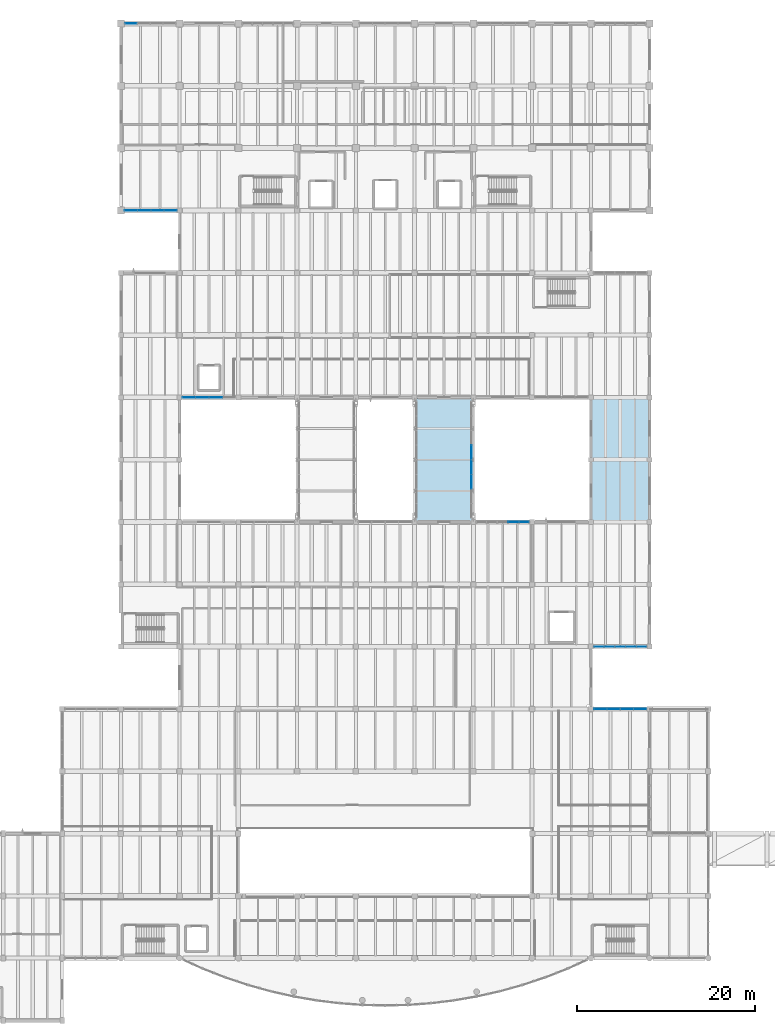
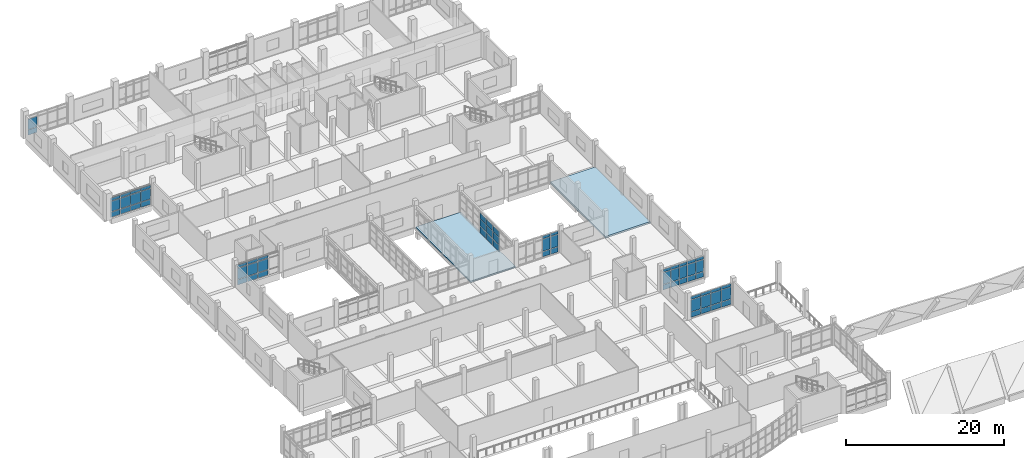
# One storey, part 42 of 67: 65 plates, 2 slabs, 7 elements without a shape of their own.
"""IFC4 building model written with IfcOpenShell, lengths in metres."""

import ifcopenshell
import ifcopenshell.guid

model = None  # the IFC model being written
_history = None  # IfcOwnerHistory: only IFC2X3 demands one
_inside = {}  # id of a spatial element -> (the spatial element, [elements in it])
_under = {}  # id of a project, library or spatial element -> (it, [spatial elements below it])
_declared = {}  # id of a project -> (the project, [libraries it declares])
_typed = {}  # id of a type object -> (the type object, [elements of that type])
_made_of = {}  # id of a material, layer set ... -> (it, [elements and type objects made of it])


def new_model(schema):
    """Start an empty IFC model of exactly this schema.

    Asked for "IFC4X3", IfcOpenShell would pick the latest addendum, in which some entities
    have other attributes; the version numbers below select the first issue.
    IFC2X3 requires an IfcOwnerHistory on every rooted entity: one is made here for all.
    """
    global model, _history
    if schema == "IFC4X3":
        model = ifcopenshell.file(schema_version=(4, 3, 0, 0))
    else:
        model = ifcopenshell.file(schema=schema)
    _inside.clear()
    _under.clear()
    _declared.clear()
    _typed.clear()
    _made_of.clear()
    _history = None
    if model.schema == "IFC2X3":
        org = make("IfcOrganization", Name="unknown")
        user = make(
            "IfcPersonAndOrganization",
            ThePerson=make("IfcPerson", FamilyName="unknown"),
            TheOrganization=org,
        )
        app = make(
            "IfcApplication",
            ApplicationDeveloper=org,
            Version="unknown",
            ApplicationFullName="unknown",
            ApplicationIdentifier="unknown",
        )
        _history = make(
            "IfcOwnerHistory",
            OwningUser=user,
            OwningApplication=app,
            ChangeAction="ADDED",
            CreationDate=0,
        )
    return model


def make(cls, **values):
    """One entity of the class cls with the attributes given. An attribute that is None is left unset."""
    return model.create_entity(
        cls, **{name: value for name, value in values.items() if value is not None}
    )


def rooted(cls, **values):
    """An entity with a GlobalId (a new one), such as an element, a storey or a relation."""
    return make(cls, GlobalId=ifcopenshell.guid.new(), OwnerHistory=_history, **values)


def si_unit(unit_type, name, prefix=None):
    """IfcSIUnit, for example si_unit("LENGTHUNIT", "METRE", prefix="MILLI")."""
    return make("IfcSIUnit", UnitType=unit_type, Prefix=prefix, Name=name)


def assignment(units):
    """IfcUnitAssignment: the units of a project."""
    return None if units is None else make("IfcUnitAssignment", Units=units)


def point(xyz):
    """IfcCartesianPoint."""
    return None if xyz is None else make("IfcCartesianPoint", Coordinates=xyz)


def direction(xyz):
    """IfcDirection."""
    return None if xyz is None else make("IfcDirection", DirectionRatios=xyz)


def frame(location, z_axis=None, x_axis=None):
    """IfcAxis2Placement3D, a coordinate frame: its origin and axes. An axis left out is left unset."""
    return make(
        "IfcAxis2Placement3D",
        Location=point(location),
        Axis=direction(z_axis),
        RefDirection=direction(x_axis),
    )


def frame_2d(location, x_axis=None):
    """IfcAxis2Placement2D, a coordinate frame in the plane: its origin and x axis."""
    return make(
        "IfcAxis2Placement2D", Location=point(location), RefDirection=direction(x_axis)
    )


def origin():
    """The frame at (0, 0, 0) with its axes left unset."""
    return frame((0.0, 0.0, 0.0))


def origin_2d():
    """The frame at (0, 0) in the plane with its x axis left unset."""
    return frame_2d((0.0, 0.0))


def place(relative_to, where):
    """IfcLocalPlacement: puts the frame where relative to a parent placement (None: the world)."""
    return make(
        "IfcLocalPlacement", PlacementRelTo=relative_to, RelativePlacement=where
    )


def context(
    kind, dimensions, precision=None, world=None, true_north=None, identifier=None
):
    """IfcGeometricRepresentationContext, for example the 3D "Model" context."""
    return make(
        "IfcGeometricRepresentationContext",
        ContextIdentifier=identifier,
        ContextType=kind,
        CoordinateSpaceDimension=dimensions,
        Precision=precision,
        WorldCoordinateSystem=world,
        TrueNorth=true_north,
    )


def subcontext(parent, identifier, kind, view, scale=None):
    """IfcGeometricRepresentationSubContext, for example "Body" below "Model"."""
    return make(
        "IfcGeometricRepresentationSubContext",
        ContextIdentifier=identifier,
        ContextType=kind,
        ParentContext=parent,
        TargetScale=scale,
        TargetView=view,
    )


def project(units=None, contexts=None):
    """IfcProject with its units and contexts."""
    return rooted(
        "IfcProject",
        Name="project",
        RepresentationContexts=contexts,
        UnitsInContext=assignment(units),
    )


def spatial(cls, under=None, at=None, **own):
    """A site, building, storey or space (cls), placed at a placement, below another one or the project."""
    s = rooted(cls, ObjectPlacement=at, **own)
    if under is not None:
        _under.setdefault(under.id(), (under, []))[1].append(s)
    return s


def polyline(points):
    """IfcPolyline through the points."""
    return make("IfcPolyline", Points=[point(p) for p in points])


def profile(cls, at=None, kind="AREA", **sizes):
    """A parametric profile (cls). Its sizes go by their IFC names, for example OverallWidth=200.0."""
    return make(cls, ProfileType=kind, Position=at, **sizes)


def rectangle(**sizes):
    """IfcRectangleProfileDef."""
    return profile("IfcRectangleProfileDef", **sizes)


def outline(outer, holes=None, kind="AREA"):
    """IfcArbitraryClosedProfileDef: a profile drawn as a closed curve; with holes, ...WithVoids."""
    if holes is None:
        return make("IfcArbitraryClosedProfileDef", ProfileType=kind, OuterCurve=outer)
    return make(
        "IfcArbitraryProfileDefWithVoids",
        ProfileType=kind,
        OuterCurve=outer,
        InnerCurves=holes,
    )


def extrude(swept, where, along, depth):
    """IfcExtrudedAreaSolid: the profile swept, set in the frame where, extruded along a direction by depth."""
    return make(
        "IfcExtrudedAreaSolid",
        SweptArea=swept,
        Position=where,
        ExtrudedDirection=direction(along),
        Depth=depth,
    )


def shape(context_of_items, identifier, shape_type, items):
    """IfcShapeRepresentation: the items that make up one representation, for example the "Body"."""
    return make(
        "IfcShapeRepresentation",
        ContextOfItems=context_of_items,
        RepresentationIdentifier=identifier,
        RepresentationType=shape_type,
        Items=items,
    )


def material(Name=None, Category=None):
    """IfcMaterial."""
    return make("IfcMaterial", Name=Name, Category=Category)


def layer(
    of_material, thickness, ventilated=None, Name=None, Category=None, Priority=None
):
    """IfcMaterialLayer: one layer of a wall or slab, of a material (None: an air gap)."""
    return make(
        "IfcMaterialLayer",
        Material=of_material,
        LayerThickness=thickness,
        IsVentilated=ventilated,
        Name=Name,
        Category=Category,
        Priority=Priority,
    )


def layer_set(layers, Name=None):
    """IfcMaterialLayerSet."""
    return make("IfcMaterialLayerSet", MaterialLayers=layers, LayerSetName=Name)


def made_of(thing, what):
    """Note that an element or type object is made of a material, layer set ...; save() writes the relation."""
    if what is not None:
        _made_of.setdefault(what.id(), (what, []))[1].append(thing)
    return thing


def type_object(cls, material=None, **own):
    """A type object (cls), such as IfcWallType, which elements share."""
    return made_of(rooted(cls, **own), material)


def element(
    cls,
    number,
    at=None,
    inside=None,
    cuts=None,
    type_object=None,
    material=None,
    context=None,
    identifier="Body",
    shape_type=None,
    held_by="IfcProductDefinitionShape",
    body=None,
    shapes=None,
    **own,
):
    """One element of the class cls, such as IfcWall. Its Tag is "e" and its number.

    at: its placement. inside: the storey or other place that contains it. cuts: it is an
    opening in that element (IfcRelVoidsElement). A single representation is given by context,
    identifier, shape_type and body (its items); several are given by shapes. held_by: the class
    of the entity that holds the representations. save() writes the other relations.
    """
    e = rooted(cls, Tag="e%d" % number, ObjectPlacement=at, **own)
    if body is not None:
        shapes = [shape(context, identifier, shape_type, body)]
    if shapes is not None:
        e.Representation = make(held_by, Representations=shapes)
    if inside is not None:
        _inside.setdefault(inside.id(), (inside, []))[1].append(e)
    if cuts is not None:
        rooted(
            "IfcRelVoidsElement", RelatingBuildingElement=cuts, RelatedOpeningElement=e
        )
    if type_object is not None:
        _typed.setdefault(type_object.id(), (type_object, []))[1].append(e)
    return made_of(e, material)


def aggregate(whole, parts):
    """IfcRelAggregates: a whole, such as a stair, and the parts it consists of."""
    return rooted("IfcRelAggregates", RelatingObject=whole, RelatedObjects=parts)


def save(model, path):
    """Write the relations noted so far, then the file.

    IfcRelAggregates (storeys below a building ...), IfcRelContainedInSpatialStructure (elements
    in a storey), IfcRelDefinesByType, IfcRelAssociatesMaterial and IfcRelDeclares: one each for
    every whole, place, type object, material and project.
    """
    for whole, parts in _under.values():
        aggregate(whole, parts)
    for where, things in _inside.values():
        rooted(
            "IfcRelContainedInSpatialStructure",
            RelatedElements=things,
            RelatingStructure=where,
        )
    for kind, things in _typed.values():
        rooted("IfcRelDefinesByType", RelatedObjects=things, RelatingType=kind)
    for what, things in _made_of.values():
        rooted("IfcRelAssociatesMaterial", RelatedObjects=things, RelatingMaterial=what)
    for by, libraries in _declared.values():
        rooted("IfcRelDeclares", RelatingContext=by, RelatedDefinitions=libraries)
    model.write(path)


model = new_model("IFC4")

# Units and contexts
model_context = context("Model", 3, precision=1e-05, world=origin(), true_north=direction((0.0, 1.0)))
body_context = subcontext(model_context, "Body", "Model", "MODEL_VIEW")
ifc_project = project(units=[si_unit("LENGTHUNIT", "METRE"), si_unit("AREAUNIT", "SQUARE_METRE"), si_unit("VOLUMEUNIT", "CUBIC_METRE"), si_unit("PLANEANGLEUNIT", "RADIAN"), si_unit("MASSUNIT", "GRAM", prefix="KILO")], contexts=[model_context])

# Site, building, storey
site_placement = place(None, origin())
site = spatial("IfcSite", under=ifc_project, at=site_placement, CompositionType="ELEMENT")
building_placement = place(site_placement, origin())
building = spatial("IfcBuilding", under=site, at=building_placement, Name="Ciguamira Faculty of Natural Sciences", CompositionType="ELEMENT")
storey_placement = place(building_placement, frame((0.0, 0.0, 8.39990234375)))
storey = spatial("IfcBuildingStorey", under=building, at=storey_placement, Name="L02", CompositionType="ELEMENT", Elevation=8.39990234375)

# Curtain wall, plates
ifc_material_1 = material(Name="Anodized aluminium curtain wall", Category="aluminium")
curtain_wall_type_1 = type_object("IfcCurtainWallType", Name="CurtainWall_CW-03", PredefinedType="USERDEFINED", material=ifc_material_1)
curtain_wall_1_placement = place(storey_placement, origin())
curtain_wall_1 = element("IfcCurtainWall", 1, at=curtain_wall_1_placement, inside=storey, type_object=curtain_wall_type_1, Name="L02 unitised curtain wall 0063", ObjectType="UNITISED CURTAIN WALL", PredefinedType="USERDEFINED")
ifc_material_2 = material(Name="Low-E laminated solar glass", Category="glass")
ifc_layer_1 = layer(ifc_material_2, 0.028076171875, Name="Low-E laminated solar glass")
ifc_layer_set_1 = layer_set([ifc_layer_1], Name="Low-E laminated solar glass")
plate_type_1 = type_object("IfcPlateType", Name="CWPanel_CWP-01", PredefinedType="CURTAIN_PANEL", material=ifc_layer_set_1)
plate_1_placement = place(storey_placement, frame((111.0, 45.0, 0.080078125), z_axis=(0.0, 0.0, 1.0), x_axis=(1.0, 0.0, 0.0)))
plate_1 = element("IfcPlate", 2, at=plate_1_placement, type_object=plate_type_1, Name="CW-03 panel 1.1", PredefinedType="CURTAIN_PANEL", context=body_context, shape_type="SweptSolid", body=[
    extrude(rectangle(XDim=1.090087890625, YDim=0.028076171875, at=origin_2d()), origin(), (0.0, 0.0, 1.0), 0.780029296875),
])
plate_2_placement = place(storey_placement, frame((111.0, 45.0, 0.940185546875), z_axis=(0.0, 0.0, 1.0), x_axis=(1.0, 0.0, 0.0)))
plate_2 = element("IfcPlate", 3, at=plate_2_placement, type_object=plate_type_1, Name="CW-03 panel 1.2", PredefinedType="CURTAIN_PANEL", context=body_context, shape_type="SweptSolid", body=[
    extrude(rectangle(XDim=1.090087890625, YDim=0.028076171875, at=origin_2d()), origin(), (0.0, 0.0, 1.0), 1.81494140625),
])
plate_3_placement = place(storey_placement, frame((111.0, 45.0, 2.8349609375), z_axis=(0.0, 0.0, 1.0), x_axis=(1.0, 0.0, 0.0)))
plate_3 = element("IfcPlate", 4, at=plate_3_placement, type_object=plate_type_1, Name="CW-03 panel 1.3", PredefinedType="CURTAIN_PANEL", context=body_context, shape_type="SweptSolid", body=[
    extrude(rectangle(XDim=1.090087890625, YDim=0.028076171875, at=origin_2d()), origin(), (0.0, 0.0, 1.0), 0.429931640625),
])
plate_4_placement = place(storey_placement, frame((112.18994140625, 45.0, 0.080078125), z_axis=(0.0, 0.0, 1.0), x_axis=(1.0, 0.0, 0.0)))
plate_4 = element("IfcPlate", 5, at=plate_4_placement, type_object=plate_type_1, Name="CW-03 panel 2.1", PredefinedType="CURTAIN_PANEL", context=body_context, shape_type="SweptSolid", body=[
    extrude(rectangle(XDim=1.1298828125, YDim=0.028076171875, at=origin_2d()), origin(), (0.0, 0.0, 1.0), 0.780029296875),
])
plate_5_placement = place(storey_placement, frame((112.18994140625, 45.0, 0.940185546875), z_axis=(0.0, 0.0, 1.0), x_axis=(1.0, 0.0, 0.0)))
plate_5 = element("IfcPlate", 6, at=plate_5_placement, type_object=plate_type_1, Name="CW-03 panel 2.2", PredefinedType="CURTAIN_PANEL", context=body_context, shape_type="SweptSolid", body=[
    extrude(rectangle(XDim=1.1298828125, YDim=0.028076171875, at=origin_2d()), origin(), (0.0, 0.0, 1.0), 1.81494140625),
])
plate_6_placement = place(storey_placement, frame((112.18994140625, 45.0, 2.8349609375), z_axis=(0.0, 0.0, 1.0), x_axis=(1.0, 0.0, 0.0)))
plate_6 = element("IfcPlate", 7, at=plate_6_placement, type_object=plate_type_1, Name="CW-03 panel 2.3", PredefinedType="CURTAIN_PANEL", context=body_context, shape_type="SweptSolid", body=[
    extrude(rectangle(XDim=1.1298828125, YDim=0.028076171875, at=origin_2d()), origin(), (0.0, 0.0, 1.0), 0.429931640625),
])
plate_7_placement = place(storey_placement, frame((113.39990234375, 45.0, 0.080078125), z_axis=(0.0, 0.0, 1.0), x_axis=(1.0, 0.0, 0.0)))
plate_7 = element("IfcPlate", 8, at=plate_7_placement, type_object=plate_type_1, Name="CW-03 panel 3.1", PredefinedType="CURTAIN_PANEL", context=body_context, shape_type="SweptSolid", body=[
    extrude(rectangle(XDim=1.1298828125, YDim=0.028076171875, at=origin_2d()), origin(), (0.0, 0.0, 1.0), 0.780029296875),
])
plate_8_placement = place(storey_placement, frame((113.39990234375, 45.0, 0.940185546875), z_axis=(0.0, 0.0, 1.0), x_axis=(1.0, 0.0, 0.0)))
plate_8 = element("IfcPlate", 9, at=plate_8_placement, type_object=plate_type_1, Name="CW-03 panel 3.2", PredefinedType="CURTAIN_PANEL", context=body_context, shape_type="SweptSolid", body=[
    extrude(rectangle(XDim=1.1298828125, YDim=0.028076171875, at=origin_2d()), origin(), (0.0, 0.0, 1.0), 1.81494140625),
])
plate_9_placement = place(storey_placement, frame((113.39990234375, 45.0, 2.8349609375), z_axis=(0.0, 0.0, 1.0), x_axis=(1.0, 0.0, 0.0)))
plate_9 = element("IfcPlate", 10, at=plate_9_placement, type_object=plate_type_1, Name="CW-03 panel 3.3", PredefinedType="CURTAIN_PANEL", context=body_context, shape_type="SweptSolid", body=[
    extrude(rectangle(XDim=1.1298828125, YDim=0.028076171875, at=origin_2d()), origin(), (0.0, 0.0, 1.0), 0.429931640625),
])
plate_10_placement = place(storey_placement, frame((114.610107421875, 45.0, 0.080078125), z_axis=(0.0, 0.0, 1.0), x_axis=(1.0, 0.0, 0.0)))
plate_10 = element("IfcPlate", 11, at=plate_10_placement, type_object=plate_type_1, Name="CW-03 panel 4.1", PredefinedType="CURTAIN_PANEL", context=body_context, shape_type="SweptSolid", body=[
    extrude(rectangle(XDim=1.1298828125, YDim=0.028076171875, at=origin_2d()), origin(), (0.0, 0.0, 1.0), 0.780029296875),
])
plate_11_placement = place(storey_placement, frame((114.610107421875, 45.0, 0.940185546875), z_axis=(0.0, 0.0, 1.0), x_axis=(1.0, 0.0, 0.0)))
plate_11 = element("IfcPlate", 12, at=plate_11_placement, type_object=plate_type_1, Name="CW-03 panel 4.2", PredefinedType="CURTAIN_PANEL", context=body_context, shape_type="SweptSolid", body=[
    extrude(rectangle(XDim=1.1298828125, YDim=0.028076171875, at=origin_2d()), origin(), (0.0, 0.0, 1.0), 1.81494140625),
])
plate_12_placement = place(storey_placement, frame((114.610107421875, 45.0, 2.8349609375), z_axis=(0.0, 0.0, 1.0), x_axis=(1.0, 0.0, 0.0)))
plate_12 = element("IfcPlate", 13, at=plate_12_placement, type_object=plate_type_1, Name="CW-03 panel 4.3", PredefinedType="CURTAIN_PANEL", context=body_context, shape_type="SweptSolid", body=[
    extrude(rectangle(XDim=1.1298828125, YDim=0.028076171875, at=origin_2d()), origin(), (0.0, 0.0, 1.0), 0.429931640625),
])
plate_13_placement = place(storey_placement, frame((115.800048828125, 45.0, 0.080078125), z_axis=(0.0, 0.0, 1.0), x_axis=(1.0, 0.0, 0.0)))
plate_13 = element("IfcPlate", 14, at=plate_13_placement, type_object=plate_type_1, Name="CW-03 panel 5.1", PredefinedType="CURTAIN_PANEL", context=body_context, shape_type="SweptSolid", body=[
    extrude(rectangle(XDim=1.090087890625, YDim=0.028076171875, at=origin_2d()), origin(), (0.0, 0.0, 1.0), 0.780029296875),
])
plate_14_placement = place(storey_placement, frame((115.800048828125, 45.0, 0.940185546875), z_axis=(0.0, 0.0, 1.0), x_axis=(1.0, 0.0, 0.0)))
plate_14 = element("IfcPlate", 15, at=plate_14_placement, type_object=plate_type_1, Name="CW-03 panel 5.2", PredefinedType="CURTAIN_PANEL", context=body_context, shape_type="SweptSolid", body=[
    extrude(rectangle(XDim=1.090087890625, YDim=0.028076171875, at=origin_2d()), origin(), (0.0, 0.0, 1.0), 1.81494140625),
])
plate_15_placement = place(storey_placement, frame((115.800048828125, 45.0, 2.8349609375), z_axis=(0.0, 0.0, 1.0), x_axis=(1.0, 0.0, 0.0)))
plate_15 = element("IfcPlate", 16, at=plate_15_placement, type_object=plate_type_1, Name="CW-03 panel 5.3", PredefinedType="CURTAIN_PANEL", context=body_context, shape_type="SweptSolid", body=[
    extrude(rectangle(XDim=1.090087890625, YDim=0.028076171875, at=origin_2d()), origin(), (0.0, 0.0, 1.0), 0.429931640625),
])
aggregate(curtain_wall_1, [plate_1, plate_2, plate_3, plate_4, plate_5, plate_6, plate_7, plate_8, plate_9, plate_10, plate_11, plate_12, plate_13, plate_14, plate_15])

curtain_wall_type_2 = type_object("IfcCurtainWallType", Name="CurtainWall_CW-07", PredefinedType="USERDEFINED", material=ifc_material_1)
curtain_wall_2_placement = place(storey_placement, origin())
curtain_wall_2 = element("IfcCurtainWall", 17, at=curtain_wall_2_placement, inside=storey, type_object=curtain_wall_type_2, Name="L02 unitised curtain wall 0067", ObjectType="UNITISED CURTAIN WALL", PredefinedType="USERDEFINED")
plate_16_placement = place(storey_placement, frame((64.9462890625, 73.0, 0.06005859375), z_axis=(0.0, 0.0, 1.0), x_axis=(1.0, 0.0, 0.0)))
plate_16 = element("IfcPlate", 18, at=plate_16_placement, type_object=plate_type_1, Name="CW-07 panel 1.1", PredefinedType="CURTAIN_PANEL", context=body_context, shape_type="SweptSolid", body=[
    extrude(rectangle(XDim=1.422607421875, YDim=0.028076171875, at=origin_2d()), origin(), (0.0, 0.0, 1.0), 0.81005859375),
])
plate_17_placement = place(storey_placement, frame((64.9462890625, 73.0, 0.929931640625), z_axis=(0.0, 0.0, 1.0), x_axis=(1.0, 0.0, 0.0)))
plate_17 = element("IfcPlate", 19, at=plate_17_placement, type_object=plate_type_1, Name="CW-07 panel 1.2", PredefinedType="CURTAIN_PANEL", context=body_context, shape_type="SweptSolid", body=[
    extrude(rectangle(XDim=1.422607421875, YDim=0.028076171875, at=origin_2d()), origin(), (0.0, 0.0, 1.0), 1.72509765625),
])
plate_18_placement = place(storey_placement, frame((64.9462890625, 73.0, 2.715087890625), z_axis=(0.0, 0.0, 1.0), x_axis=(1.0, 0.0, 0.0)))
plate_18 = element("IfcPlate", 20, at=plate_18_placement, type_object=plate_type_1, Name="CW-07 panel 1.3", PredefinedType="CURTAIN_PANEL", context=body_context, shape_type="SweptSolid", body=[
    extrude(rectangle(XDim=1.422607421875, YDim=0.028076171875, at=origin_2d()), origin(), (0.0, 0.0, 1.0), 0.4599609375),
])
plate_19_placement = place(storey_placement, frame((66.44384765625, 73.0, 0.06005859375), z_axis=(0.0, 0.0, 1.0), x_axis=(1.0, 0.0, 0.0)))
plate_19 = element("IfcPlate", 21, at=plate_19_placement, type_object=plate_type_1, Name="CW-07 panel 2.1", PredefinedType="CURTAIN_PANEL", context=body_context, shape_type="SweptSolid", body=[
    extrude(rectangle(XDim=1.452392578125, YDim=0.028076171875, at=origin_2d()), origin(), (0.0, 0.0, 1.0), 0.81005859375),
])
plate_20_placement = place(storey_placement, frame((66.44384765625, 73.0, 0.929931640625), z_axis=(0.0, 0.0, 1.0), x_axis=(1.0, 0.0, 0.0)))
plate_20 = element("IfcPlate", 22, at=plate_20_placement, type_object=plate_type_1, Name="CW-07 panel 2.2", PredefinedType="CURTAIN_PANEL", context=body_context, shape_type="SweptSolid", body=[
    extrude(rectangle(XDim=1.452392578125, YDim=0.028076171875, at=origin_2d()), origin(), (0.0, 0.0, 1.0), 1.72509765625),
])
plate_21_placement = place(storey_placement, frame((66.44384765625, 73.0, 2.715087890625), z_axis=(0.0, 0.0, 1.0), x_axis=(1.0, 0.0, 0.0)))
plate_21 = element("IfcPlate", 23, at=plate_21_placement, type_object=plate_type_1, Name="CW-07 panel 2.3", PredefinedType="CURTAIN_PANEL", context=body_context, shape_type="SweptSolid", body=[
    extrude(rectangle(XDim=1.452392578125, YDim=0.028076171875, at=origin_2d()), origin(), (0.0, 0.0, 1.0), 0.4599609375),
])
plate_22_placement = place(storey_placement, frame((67.956298828125, 73.0, 0.06005859375), z_axis=(0.0, 0.0, 1.0), x_axis=(1.0, 0.0, 0.0)))
plate_22 = element("IfcPlate", 24, at=plate_22_placement, type_object=plate_type_1, Name="CW-07 panel 3.1", PredefinedType="CURTAIN_PANEL", context=body_context, shape_type="SweptSolid", body=[
    extrude(rectangle(XDim=1.452392578125, YDim=0.028076171875, at=origin_2d()), origin(), (0.0, 0.0, 1.0), 0.81005859375),
])
plate_23_placement = place(storey_placement, frame((67.956298828125, 73.0, 0.929931640625), z_axis=(0.0, 0.0, 1.0), x_axis=(1.0, 0.0, 0.0)))
plate_23 = element("IfcPlate", 25, at=plate_23_placement, type_object=plate_type_1, Name="CW-07 panel 3.2", PredefinedType="CURTAIN_PANEL", context=body_context, shape_type="SweptSolid", body=[
    extrude(rectangle(XDim=1.452392578125, YDim=0.028076171875, at=origin_2d()), origin(), (0.0, 0.0, 1.0), 1.72509765625),
])
plate_24_placement = place(storey_placement, frame((67.956298828125, 73.0, 2.715087890625), z_axis=(0.0, 0.0, 1.0), x_axis=(1.0, 0.0, 0.0)))
plate_24 = element("IfcPlate", 26, at=plate_24_placement, type_object=plate_type_1, Name="CW-07 panel 3.3", PredefinedType="CURTAIN_PANEL", context=body_context, shape_type="SweptSolid", body=[
    extrude(rectangle(XDim=1.452392578125, YDim=0.028076171875, at=origin_2d()), origin(), (0.0, 0.0, 1.0), 0.4599609375),
])
aggregate(curtain_wall_2, [plate_16, plate_17, plate_18, plate_19, plate_20, plate_21, plate_22, plate_23, plate_24])

curtain_wall_type_3 = type_object("IfcCurtainWallType", Name="CurtainWall_CW-11", PredefinedType="USERDEFINED", material=ifc_material_1)
curtain_wall_3_placement = place(storey_placement, origin())
curtain_wall_3 = element("IfcCurtainWall", 27, at=curtain_wall_3_placement, inside=storey, type_object=curtain_wall_type_3, Name="L02 unitised curtain wall 0071", ObjectType="UNITISED CURTAIN WALL", PredefinedType="USERDEFINED")
plate_25_placement = place(storey_placement, frame((58.4423828125, 115.0, 0.070068359375), z_axis=(0.0, 0.0, 1.0), x_axis=(1.0, 0.0, 0.0)))
plate_25 = element("IfcPlate", 28, at=plate_25_placement, type_object=plate_type_1, Name="CW-11 panel 1.1", PredefinedType="CURTAIN_PANEL", context=body_context, shape_type="SweptSolid", body=[
    extrude(rectangle(XDim=1.344970703125, YDim=0.028076171875, at=origin_2d()), origin(), (0.0, 0.0, 1.0), 0.794921875),
])
plate_26_placement = place(storey_placement, frame((58.4423828125, 115.0, 0.93505859375), z_axis=(0.0, 0.0, 1.0), x_axis=(1.0, 0.0, 0.0)))
plate_26 = element("IfcPlate", 29, at=plate_26_placement, type_object=plate_type_1, Name="CW-11 panel 1.2", PredefinedType="CURTAIN_PANEL", context=body_context, shape_type="SweptSolid", body=[
    extrude(rectangle(XDim=1.344970703125, YDim=0.028076171875, at=origin_2d()), origin(), (0.0, 0.0, 1.0), 1.614990234375),
])
aggregate(curtain_wall_3, [plate_25, plate_26])

curtain_wall_type_4 = type_object("IfcCurtainWallType", Name="CurtainWall_CW-09", PredefinedType="USERDEFINED", material=ifc_material_1)
curtain_wall_4_placement = place(storey_placement, origin())
curtain_wall_4 = element("IfcCurtainWall", 30, at=curtain_wall_4_placement, inside=storey, type_object=curtain_wall_type_4, Name="Link bridge BR-2 glazed curtain wall E", ObjectType="UNITISED CURTAIN WALL", PredefinedType="USERDEFINED")
plate_27_placement = place(storey_placement, frame((96.679931640625, 63.543701171875, 0.06005859375), z_axis=(0.0, 0.0, 1.0), x_axis=(0.0, 1.0, 0.0)))
plate_27 = element("IfcPlate", 31, at=plate_27_placement, type_object=plate_type_1, Name="CW-09 panel 3.1", PredefinedType="CURTAIN_PANEL", context=body_context, shape_type="SweptSolid", body=[
    extrude(rectangle(XDim=1.577392578125, YDim=0.028076171875, at=origin_2d()), origin(), (0.0, 0.0, 1.0), 1.010009765625),
])
plate_28_placement = place(storey_placement, frame((96.679931640625, 63.543701171875, 1.13037109375), z_axis=(0.0, 0.0, 1.0), x_axis=(0.0, 1.0, 0.0)))
plate_28 = element("IfcPlate", 32, at=plate_28_placement, type_object=plate_type_1, Name="CW-09 panel 3.2", PredefinedType="CURTAIN_PANEL", context=body_context, shape_type="SweptSolid", body=[
    extrude(rectangle(XDim=1.577392578125, YDim=0.028076171875, at=origin_2d()), origin(), (0.0, 0.0, 1.0), 1.139892578125),
])
plate_29_placement = place(storey_placement, frame((96.679931640625, 63.543701171875, 2.330078125), z_axis=(0.0, 0.0, 1.0), x_axis=(0.0, 1.0, 0.0)))
plate_29 = element("IfcPlate", 33, at=plate_29_placement, type_object=plate_type_1, Name="CW-09 panel 3.3", PredefinedType="CURTAIN_PANEL", context=body_context, shape_type="SweptSolid", body=[
    extrude(rectangle(XDim=1.577392578125, YDim=0.028076171875, at=origin_2d()), origin(), (0.0, 0.0, 1.0), 0.860107421875),
])
plate_30_placement = place(storey_placement, frame((96.679931640625, 65.18115234375, 0.06005859375), z_axis=(0.0, 0.0, 1.0), x_axis=(0.0, 1.0, 0.0)))
plate_30 = element("IfcPlate", 34, at=plate_30_placement, type_object=plate_type_1, Name="CW-09 panel 4.1", PredefinedType="CURTAIN_PANEL", context=body_context, shape_type="SweptSolid", body=[
    extrude(rectangle(XDim=1.577392578125, YDim=0.028076171875, at=origin_2d()), origin(), (0.0, 0.0, 1.0), 1.010009765625),
])
plate_31_placement = place(storey_placement, frame((96.679931640625, 65.18115234375, 1.13037109375), z_axis=(0.0, 0.0, 1.0), x_axis=(0.0, 1.0, 0.0)))
plate_31 = element("IfcPlate", 35, at=plate_31_placement, type_object=plate_type_1, Name="CW-09 panel 4.2", PredefinedType="CURTAIN_PANEL", context=body_context, shape_type="SweptSolid", body=[
    extrude(rectangle(XDim=1.577392578125, YDim=0.028076171875, at=origin_2d()), origin(), (0.0, 0.0, 1.0), 1.139892578125),
])
plate_32_placement = place(storey_placement, frame((96.679931640625, 65.18115234375, 2.330078125), z_axis=(0.0, 0.0, 1.0), x_axis=(0.0, 1.0, 0.0)))
plate_32 = element("IfcPlate", 36, at=plate_32_placement, type_object=plate_type_1, Name="CW-09 panel 4.3", PredefinedType="CURTAIN_PANEL", context=body_context, shape_type="SweptSolid", body=[
    extrude(rectangle(XDim=1.577392578125, YDim=0.028076171875, at=origin_2d()), origin(), (0.0, 0.0, 1.0), 0.860107421875),
])
plate_33_placement = place(storey_placement, frame((96.679931640625, 66.81884765625, 0.06005859375), z_axis=(0.0, 0.0, 1.0), x_axis=(0.0, 1.0, 0.0)))
plate_33 = element("IfcPlate", 37, at=plate_33_placement, type_object=plate_type_1, Name="CW-09 panel 5.1", PredefinedType="CURTAIN_PANEL", context=body_context, shape_type="SweptSolid", body=[
    extrude(rectangle(XDim=1.577392578125, YDim=0.028076171875, at=origin_2d()), origin(), (0.0, 0.0, 1.0), 1.010009765625),
])
plate_34_placement = place(storey_placement, frame((96.679931640625, 66.81884765625, 1.13037109375), z_axis=(0.0, 0.0, 1.0), x_axis=(0.0, 1.0, 0.0)))
plate_34 = element("IfcPlate", 38, at=plate_34_placement, type_object=plate_type_1, Name="CW-09 panel 5.2", PredefinedType="CURTAIN_PANEL", context=body_context, shape_type="SweptSolid", body=[
    extrude(rectangle(XDim=1.577392578125, YDim=0.028076171875, at=origin_2d()), origin(), (0.0, 0.0, 1.0), 1.139892578125),
])
plate_35_placement = place(storey_placement, frame((96.679931640625, 66.81884765625, 2.330078125), z_axis=(0.0, 0.0, 1.0), x_axis=(0.0, 1.0, 0.0)))
plate_35 = element("IfcPlate", 39, at=plate_35_placement, type_object=plate_type_1, Name="CW-09 panel 5.3", PredefinedType="CURTAIN_PANEL", context=body_context, shape_type="SweptSolid", body=[
    extrude(rectangle(XDim=1.577392578125, YDim=0.028076171875, at=origin_2d()), origin(), (0.0, 0.0, 1.0), 0.860107421875),
])
aggregate(curtain_wall_4, [plate_27, plate_28, plate_29, plate_30, plate_31, plate_32, plate_33, plate_34, plate_35])

curtain_wall_type_5 = type_object("IfcCurtainWallType", Name="CurtainWall_CW-02", PredefinedType="USERDEFINED", material=ifc_material_1)
curtain_wall_5_placement = place(storey_placement, origin())
curtain_wall_5 = element("IfcCurtainWall", 40, at=curtain_wall_5_placement, inside=storey, type_object=curtain_wall_type_5, Name="L02 unitised curtain wall 0062", ObjectType="UNITISED CURTAIN WALL", PredefinedType="USERDEFINED")
ifc_layer_2 = layer(ifc_material_2, 0.035888671875, Name="Low-E laminated solar glass")
ifc_layer_set_2 = layer_set([ifc_layer_2], Name="Low-E laminated solar glass")
plate_type_2 = type_object("IfcPlateType", Name="CWPanel_CWP-02", PredefinedType="CURTAIN_PANEL", material=ifc_layer_set_2)
plate_36_placement = place(storey_placement, frame((111.16748046875, 38.0, 0.070068359375), z_axis=(0.0, 0.0, 1.0), x_axis=(1.0, 0.0, 0.0)))
plate_36 = element("IfcPlate", 41, at=plate_36_placement, type_object=plate_type_2, Name="CW-02 panel 1.1", PredefinedType="CURTAIN_PANEL", context=body_context, shape_type="SweptSolid", body=[
    extrude(rectangle(XDim=1.39501953125, YDim=0.035888671875, at=origin_2d()), origin(), (0.0, 0.0, 1.0), 0.794921875),
])
plate_37_placement = place(storey_placement, frame((111.16748046875, 38.0, 0.93505859375), z_axis=(0.0, 0.0, 1.0), x_axis=(1.0, 0.0, 0.0)))
plate_37 = element("IfcPlate", 42, at=plate_37_placement, type_object=plate_type_2, Name="CW-02 panel 1.2", PredefinedType="CURTAIN_PANEL", context=body_context, shape_type="SweptSolid", body=[
    extrude(rectangle(XDim=1.39501953125, YDim=0.035888671875, at=origin_2d()), origin(), (0.0, 0.0, 1.0), 1.824951171875),
])
plate_38_placement = place(storey_placement, frame((111.16748046875, 38.0, 2.830078125), z_axis=(0.0, 0.0, 1.0), x_axis=(1.0, 0.0, 0.0)))
plate_38 = element("IfcPlate", 43, at=plate_38_placement, type_object=plate_type_2, Name="CW-02 panel 1.3", PredefinedType="CURTAIN_PANEL", context=body_context, shape_type="SweptSolid", body=[
    extrude(rectangle(XDim=1.39501953125, YDim=0.035888671875, at=origin_2d()), origin(), (0.0, 0.0, 1.0), 0.445068359375),
])
plate_39_placement = place(storey_placement, frame((112.64990234375, 38.0, 0.070068359375), z_axis=(0.0, 0.0, 1.0), x_axis=(1.0, 0.0, 0.0)))
plate_39 = element("IfcPlate", 44, at=plate_39_placement, type_object=plate_type_2, Name="CW-02 panel 2.1", PredefinedType="CURTAIN_PANEL", context=body_context, shape_type="SweptSolid", body=[
    extrude(rectangle(XDim=1.429931640625, YDim=0.035888671875, at=origin_2d()), origin(), (0.0, 0.0, 1.0), 0.794921875),
])
plate_40_placement = place(storey_placement, frame((112.64990234375, 38.0, 0.93505859375), z_axis=(0.0, 0.0, 1.0), x_axis=(1.0, 0.0, 0.0)))
plate_40 = element("IfcPlate", 45, at=plate_40_placement, type_object=plate_type_2, Name="CW-02 panel 2.2", PredefinedType="CURTAIN_PANEL", context=body_context, shape_type="SweptSolid", body=[
    extrude(rectangle(XDim=1.429931640625, YDim=0.035888671875, at=origin_2d()), origin(), (0.0, 0.0, 1.0), 1.824951171875),
])
plate_41_placement = place(storey_placement, frame((112.64990234375, 38.0, 2.830078125), z_axis=(0.0, 0.0, 1.0), x_axis=(1.0, 0.0, 0.0)))
plate_41 = element("IfcPlate", 46, at=plate_41_placement, type_object=plate_type_2, Name="CW-02 panel 2.3", PredefinedType="CURTAIN_PANEL", context=body_context, shape_type="SweptSolid", body=[
    extrude(rectangle(XDim=1.429931640625, YDim=0.035888671875, at=origin_2d()), origin(), (0.0, 0.0, 1.0), 0.445068359375),
])
plate_42_placement = place(storey_placement, frame((114.14990234375, 38.0, 0.070068359375), z_axis=(0.0, 0.0, 1.0), x_axis=(1.0, 0.0, 0.0)))
plate_42 = element("IfcPlate", 47, at=plate_42_placement, type_object=plate_type_2, Name="CW-02 panel 3.1", PredefinedType="CURTAIN_PANEL", context=body_context, shape_type="SweptSolid", body=[
    extrude(rectangle(XDim=1.429931640625, YDim=0.035888671875, at=origin_2d()), origin(), (0.0, 0.0, 1.0), 0.794921875),
])
plate_43_placement = place(storey_placement, frame((114.14990234375, 38.0, 0.93505859375), z_axis=(0.0, 0.0, 1.0), x_axis=(1.0, 0.0, 0.0)))
plate_43 = element("IfcPlate", 48, at=plate_43_placement, type_object=plate_type_2, Name="CW-02 panel 3.2", PredefinedType="CURTAIN_PANEL", context=body_context, shape_type="SweptSolid", body=[
    extrude(rectangle(XDim=1.429931640625, YDim=0.035888671875, at=origin_2d()), origin(), (0.0, 0.0, 1.0), 1.824951171875),
])
plate_44_placement = place(storey_placement, frame((114.14990234375, 38.0, 2.830078125), z_axis=(0.0, 0.0, 1.0), x_axis=(1.0, 0.0, 0.0)))
plate_44 = element("IfcPlate", 49, at=plate_44_placement, type_object=plate_type_2, Name="CW-02 panel 3.3", PredefinedType="CURTAIN_PANEL", context=body_context, shape_type="SweptSolid", body=[
    extrude(rectangle(XDim=1.429931640625, YDim=0.035888671875, at=origin_2d()), origin(), (0.0, 0.0, 1.0), 0.445068359375),
])
plate_45_placement = place(storey_placement, frame((115.632568359375, 38.0, 0.070068359375), z_axis=(0.0, 0.0, 1.0), x_axis=(1.0, 0.0, 0.0)))
plate_45 = element("IfcPlate", 50, at=plate_45_placement, type_object=plate_type_2, Name="CW-02 panel 4.1", PredefinedType="CURTAIN_PANEL", context=body_context, shape_type="SweptSolid", body=[
    extrude(rectangle(XDim=1.39501953125, YDim=0.035888671875, at=origin_2d()), origin(), (0.0, 0.0, 1.0), 0.794921875),
])
plate_46_placement = place(storey_placement, frame((115.632568359375, 38.0, 0.93505859375), z_axis=(0.0, 0.0, 1.0), x_axis=(1.0, 0.0, 0.0)))
plate_46 = element("IfcPlate", 51, at=plate_46_placement, type_object=plate_type_2, Name="CW-02 panel 4.2", PredefinedType="CURTAIN_PANEL", context=body_context, shape_type="SweptSolid", body=[
    extrude(rectangle(XDim=1.39501953125, YDim=0.035888671875, at=origin_2d()), origin(), (0.0, 0.0, 1.0), 1.824951171875),
])
plate_47_placement = place(storey_placement, frame((115.632568359375, 38.0, 2.830078125), z_axis=(0.0, 0.0, 1.0), x_axis=(1.0, 0.0, 0.0)))
plate_47 = element("IfcPlate", 52, at=plate_47_placement, type_object=plate_type_2, Name="CW-02 panel 4.3", PredefinedType="CURTAIN_PANEL", context=body_context, shape_type="SweptSolid", body=[
    extrude(rectangle(XDim=1.39501953125, YDim=0.035888671875, at=origin_2d()), origin(), (0.0, 0.0, 1.0), 0.445068359375),
])
aggregate(curtain_wall_5, [plate_36, plate_37, plate_38, plate_39, plate_40, plate_41, plate_42, plate_43, plate_44, plate_45, plate_46, plate_47])

curtain_wall_type_6 = type_object("IfcCurtainWallType", Name="CurtainWall_CW-06", PredefinedType="USERDEFINED", material=ifc_material_1)
curtain_wall_6_placement = place(storey_placement, origin())
curtain_wall_6 = element("IfcCurtainWall", 53, at=curtain_wall_6_placement, inside=storey, type_object=curtain_wall_type_6, Name="L02 unitised curtain wall 0066", ObjectType="UNITISED CURTAIN WALL", PredefinedType="USERDEFINED")
plate_48_placement = place(storey_placement, frame((101.409912109375, 59.0, 0.080078125), z_axis=(0.0, 0.0, 1.0), x_axis=(1.0, 0.0, 0.0)))
plate_48 = element("IfcPlate", 54, at=plate_48_placement, type_object=plate_type_2, Name="CW-06 panel 4.1", PredefinedType="CURTAIN_PANEL", context=body_context, shape_type="SweptSolid", body=[
    extrude(rectangle(XDim=1.1298828125, YDim=0.035888671875, at=origin_2d()), origin(), (0.0, 0.0, 1.0), 0.780029296875),
])
plate_49_placement = place(storey_placement, frame((101.409912109375, 59.0, 0.940185546875), z_axis=(0.0, 0.0, 1.0), x_axis=(1.0, 0.0, 0.0)))
plate_49 = element("IfcPlate", 55, at=plate_49_placement, type_object=plate_type_2, Name="CW-06 panel 4.2", PredefinedType="CURTAIN_PANEL", context=body_context, shape_type="SweptSolid", body=[
    extrude(rectangle(XDim=1.1298828125, YDim=0.035888671875, at=origin_2d()), origin(), (0.0, 0.0, 1.0), 1.85498046875),
])
plate_50_placement = place(storey_placement, frame((101.409912109375, 59.0, 2.875), z_axis=(0.0, 0.0, 1.0), x_axis=(1.0, 0.0, 0.0)))
plate_50 = element("IfcPlate", 56, at=plate_50_placement, type_object=plate_type_2, Name="CW-06 panel 4.3", PredefinedType="CURTAIN_PANEL", context=body_context, shape_type="SweptSolid", body=[
    extrude(rectangle(XDim=1.1298828125, YDim=0.035888671875, at=origin_2d()), origin(), (0.0, 0.0, 1.0), 0.429931640625),
])
plate_51_placement = place(storey_placement, frame((102.60009765625, 59.0, 0.080078125), z_axis=(0.0, 0.0, 1.0), x_axis=(1.0, 0.0, 0.0)))
plate_51 = element("IfcPlate", 57, at=plate_51_placement, type_object=plate_type_2, Name="CW-06 panel 5.1", PredefinedType="CURTAIN_PANEL", context=body_context, shape_type="SweptSolid", body=[
    extrude(rectangle(XDim=1.090087890625, YDim=0.035888671875, at=origin_2d()), origin(), (0.0, 0.0, 1.0), 0.780029296875),
])
plate_52_placement = place(storey_placement, frame((102.60009765625, 59.0, 0.940185546875), z_axis=(0.0, 0.0, 1.0), x_axis=(1.0, 0.0, 0.0)))
plate_52 = element("IfcPlate", 58, at=plate_52_placement, type_object=plate_type_2, Name="CW-06 panel 5.2", PredefinedType="CURTAIN_PANEL", context=body_context, shape_type="SweptSolid", body=[
    extrude(rectangle(XDim=1.090087890625, YDim=0.035888671875, at=origin_2d()), origin(), (0.0, 0.0, 1.0), 1.85498046875),
])
plate_53_placement = place(storey_placement, frame((102.60009765625, 59.0, 2.875), z_axis=(0.0, 0.0, 1.0), x_axis=(1.0, 0.0, 0.0)))
plate_53 = element("IfcPlate", 59, at=plate_53_placement, type_object=plate_type_2, Name="CW-06 panel 5.3", PredefinedType="CURTAIN_PANEL", context=body_context, shape_type="SweptSolid", body=[
    extrude(rectangle(XDim=1.090087890625, YDim=0.035888671875, at=origin_2d()), origin(), (0.0, 0.0, 1.0), 0.429931640625),
])
aggregate(curtain_wall_6, [plate_48, plate_49, plate_50, plate_51, plate_52, plate_53])

curtain_wall_type_7 = type_object("IfcCurtainWallType", Name="CurtainWall_CW-10", PredefinedType="USERDEFINED", material=ifc_material_1)
curtain_wall_7_placement = place(storey_placement, origin())
curtain_wall_7 = element("IfcCurtainWall", 60, at=curtain_wall_7_placement, inside=storey, type_object=curtain_wall_type_7, Name="L02 unitised curtain wall 0070", ObjectType="UNITISED CURTAIN WALL", PredefinedType="USERDEFINED")
plate_54_placement = place(storey_placement, frame((58.45556640625, 94.0, 0.06005859375), z_axis=(0.0, 0.0, 1.0), x_axis=(1.0, 0.0, 0.0)))
plate_54 = element("IfcPlate", 61, at=plate_54_placement, type_object=plate_type_2, Name="CW-10 panel 1.1", PredefinedType="CURTAIN_PANEL", context=body_context, shape_type="SweptSolid", body=[
    extrude(rectangle(XDim=1.391357421875, YDim=0.035888671875, at=origin_2d()), origin(), (0.0, 0.0, 1.0), 0.81005859375),
])
plate_55_placement = place(storey_placement, frame((58.45556640625, 94.0, 0.93017578125), z_axis=(0.0, 0.0, 1.0), x_axis=(1.0, 0.0, 0.0)))
plate_55 = element("IfcPlate", 62, at=plate_55_placement, type_object=plate_type_2, Name="CW-10 panel 1.2", PredefinedType="CURTAIN_PANEL", context=body_context, shape_type="SweptSolid", body=[
    extrude(rectangle(XDim=1.391357421875, YDim=0.035888671875, at=origin_2d()), origin(), (0.0, 0.0, 1.0), 1.625),
])
plate_56_placement = place(storey_placement, frame((58.45556640625, 94.0, 2.615234375), z_axis=(0.0, 0.0, 1.0), x_axis=(1.0, 0.0, 0.0)))
plate_56 = element("IfcPlate", 63, at=plate_56_placement, type_object=plate_type_2, Name="CW-10 panel 1.3", PredefinedType="CURTAIN_PANEL", context=body_context, shape_type="SweptSolid", body=[
    extrude(rectangle(XDim=1.391357421875, YDim=0.035888671875, at=origin_2d()), origin(), (0.0, 0.0, 1.0), 0.4599609375),
])
plate_57_placement = place(storey_placement, frame((59.921875, 94.0, 0.06005859375), z_axis=(0.0, 0.0, 1.0), x_axis=(1.0, 0.0, 0.0)))
plate_57 = element("IfcPlate", 64, at=plate_57_placement, type_object=plate_type_2, Name="CW-10 panel 2.1", PredefinedType="CURTAIN_PANEL", context=body_context, shape_type="SweptSolid", body=[
    extrude(rectangle(XDim=1.421142578125, YDim=0.035888671875, at=origin_2d()), origin(), (0.0, 0.0, 1.0), 0.81005859375),
])
plate_58_placement = place(storey_placement, frame((59.921875, 94.0, 0.93017578125), z_axis=(0.0, 0.0, 1.0), x_axis=(1.0, 0.0, 0.0)))
plate_58 = element("IfcPlate", 65, at=plate_58_placement, type_object=plate_type_2, Name="CW-10 panel 2.2", PredefinedType="CURTAIN_PANEL", context=body_context, shape_type="SweptSolid", body=[
    extrude(rectangle(XDim=1.421142578125, YDim=0.035888671875, at=origin_2d()), origin(), (0.0, 0.0, 1.0), 1.625),
])
plate_59_placement = place(storey_placement, frame((59.921875, 94.0, 2.615234375), z_axis=(0.0, 0.0, 1.0), x_axis=(1.0, 0.0, 0.0)))
plate_59 = element("IfcPlate", 66, at=plate_59_placement, type_object=plate_type_2, Name="CW-10 panel 2.3", PredefinedType="CURTAIN_PANEL", context=body_context, shape_type="SweptSolid", body=[
    extrude(rectangle(XDim=1.421142578125, YDim=0.035888671875, at=origin_2d()), origin(), (0.0, 0.0, 1.0), 0.4599609375),
])
plate_60_placement = place(storey_placement, frame((61.403076171875, 94.0, 0.06005859375), z_axis=(0.0, 0.0, 1.0), x_axis=(1.0, 0.0, 0.0)))
plate_60 = element("IfcPlate", 67, at=plate_60_placement, type_object=plate_type_2, Name="CW-10 panel 3.1", PredefinedType="CURTAIN_PANEL", context=body_context, shape_type="SweptSolid", body=[
    extrude(rectangle(XDim=1.421142578125, YDim=0.035888671875, at=origin_2d()), origin(), (0.0, 0.0, 1.0), 0.81005859375),
])
plate_61_placement = place(storey_placement, frame((61.403076171875, 94.0, 0.93017578125), z_axis=(0.0, 0.0, 1.0), x_axis=(1.0, 0.0, 0.0)))
plate_61 = element("IfcPlate", 68, at=plate_61_placement, type_object=plate_type_2, Name="CW-10 panel 3.2", PredefinedType="CURTAIN_PANEL", context=body_context, shape_type="SweptSolid", body=[
    extrude(rectangle(XDim=1.421142578125, YDim=0.035888671875, at=origin_2d()), origin(), (0.0, 0.0, 1.0), 1.625),
])
plate_62_placement = place(storey_placement, frame((61.403076171875, 94.0, 2.615234375), z_axis=(0.0, 0.0, 1.0), x_axis=(1.0, 0.0, 0.0)))
plate_62 = element("IfcPlate", 69, at=plate_62_placement, type_object=plate_type_2, Name="CW-10 panel 3.3", PredefinedType="CURTAIN_PANEL", context=body_context, shape_type="SweptSolid", body=[
    extrude(rectangle(XDim=1.421142578125, YDim=0.035888671875, at=origin_2d()), origin(), (0.0, 0.0, 1.0), 0.4599609375),
])
plate_63_placement = place(storey_placement, frame((62.869384765625, 94.0, 0.06005859375), z_axis=(0.0, 0.0, 1.0), x_axis=(1.0, 0.0, 0.0)))
plate_63 = element("IfcPlate", 70, at=plate_63_placement, type_object=plate_type_2, Name="CW-10 panel 4.1", PredefinedType="CURTAIN_PANEL", context=body_context, shape_type="SweptSolid", body=[
    extrude(rectangle(XDim=1.391357421875, YDim=0.035888671875, at=origin_2d()), origin(), (0.0, 0.0, 1.0), 0.81005859375),
])
plate_64_placement = place(storey_placement, frame((62.869384765625, 94.0, 0.93017578125), z_axis=(0.0, 0.0, 1.0), x_axis=(1.0, 0.0, 0.0)))
plate_64 = element("IfcPlate", 71, at=plate_64_placement, type_object=plate_type_2, Name="CW-10 panel 4.2", PredefinedType="CURTAIN_PANEL", context=body_context, shape_type="SweptSolid", body=[
    extrude(rectangle(XDim=1.391357421875, YDim=0.035888671875, at=origin_2d()), origin(), (0.0, 0.0, 1.0), 1.625),
])
plate_65_placement = place(storey_placement, frame((62.869384765625, 94.0, 2.615234375), z_axis=(0.0, 0.0, 1.0), x_axis=(1.0, 0.0, 0.0)))
plate_65 = element("IfcPlate", 72, at=plate_65_placement, type_object=plate_type_2, Name="CW-10 panel 4.3", PredefinedType="CURTAIN_PANEL", context=body_context, shape_type="SweptSolid", body=[
    extrude(rectangle(XDim=1.391357421875, YDim=0.035888671875, at=origin_2d()), origin(), (0.0, 0.0, 1.0), 0.4599609375),
])
aggregate(curtain_wall_7, [plate_54, plate_55, plate_56, plate_57, plate_58, plate_59, plate_60, plate_61, plate_62, plate_63, plate_64, plate_65])

# Slabs
ifc_material_3 = material(Name="Concrete C40/50", Category="concrete")
ifc_layer_3 = layer(ifc_material_3, 0.280029296875, Name="Concrete C40/50")
ifc_layer_set_3 = layer_set([ifc_layer_3], Name="Concrete C40/50")
slab_type_1 = type_object("IfcSlabType", Name="Slab_SF-03_280", PredefinedType="FLOOR", material=ifc_layer_set_3)
slab_1_placement = place(storey_placement, frame((0.0, 0.0, -0.27978515625)))
element("IfcSlab", 73, at=slab_1_placement, inside=storey, type_object=slab_type_1, Name="L02 V4E structural slab", PredefinedType="FLOOR", context=body_context, shape_type="SweptSolid", body=[
    extrude(outline(polyline([(110.10009765625, 59.0), (116.699951171875, 59.0), (116.699951171875, 73.0), (110.10009765625, 73.0), (110.10009765625, 59.0)])), origin(), (0.0, 0.0, 1.0), 0.27978515625),
])
ifc_layer_4 = layer(ifc_material_3, 0.219970703125, Name="Concrete C40/50")
ifc_layer_set_4 = layer_set([ifc_layer_4], Name="Concrete C40/50")
slab_type_2 = type_object("IfcSlabType", Name="Slab_SF-06_220", PredefinedType="FLOOR", material=ifc_layer_set_4)
slab_2_placement = place(storey_placement, frame((0.0, 0.0, -0.219970703125)))
element("IfcSlab", 74, at=slab_2_placement, inside=storey, type_object=slab_type_2, Name="Link bridge BR-2 deck", PredefinedType="FLOOR", context=body_context, shape_type="SweptSolid", body=[
    extrude(outline(polyline([(90.300048828125, 59.0), (96.89990234375, 59.0), (96.89990234375, 72.89990234375), (90.300048828125, 72.89990234375), (90.300048828125, 59.0)])), origin(), (0.0, 0.0, 1.0), 0.219970703125),
])

save(model, "model.ifc")
